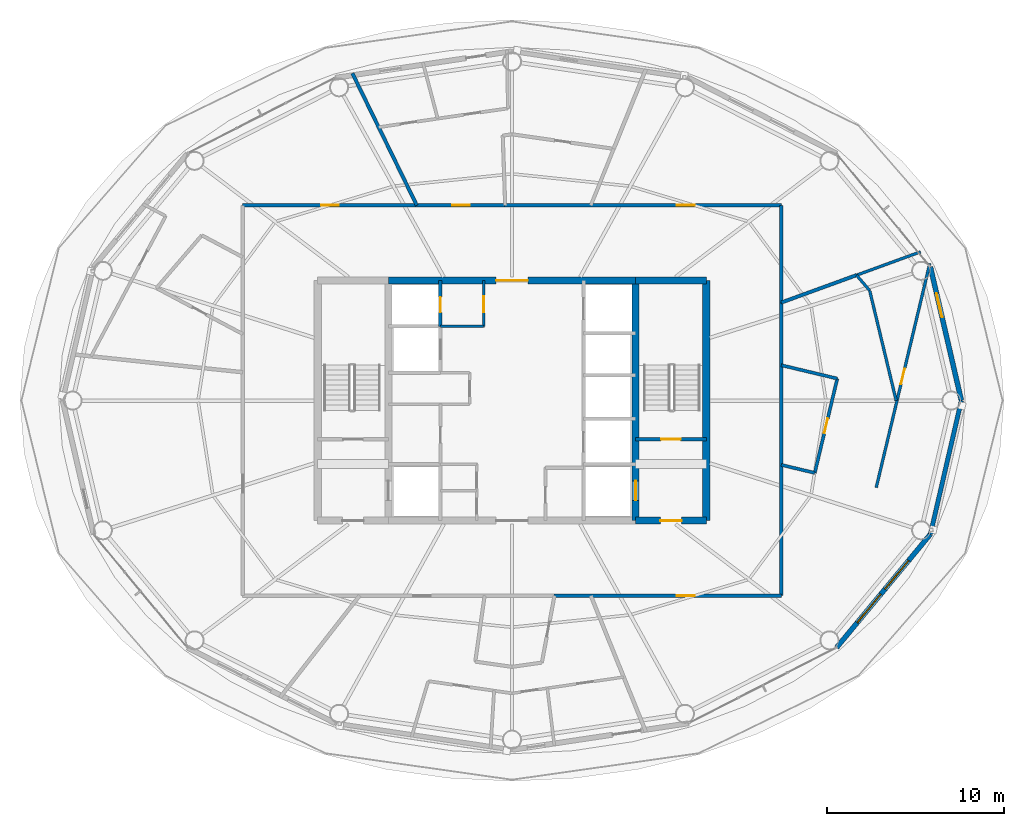
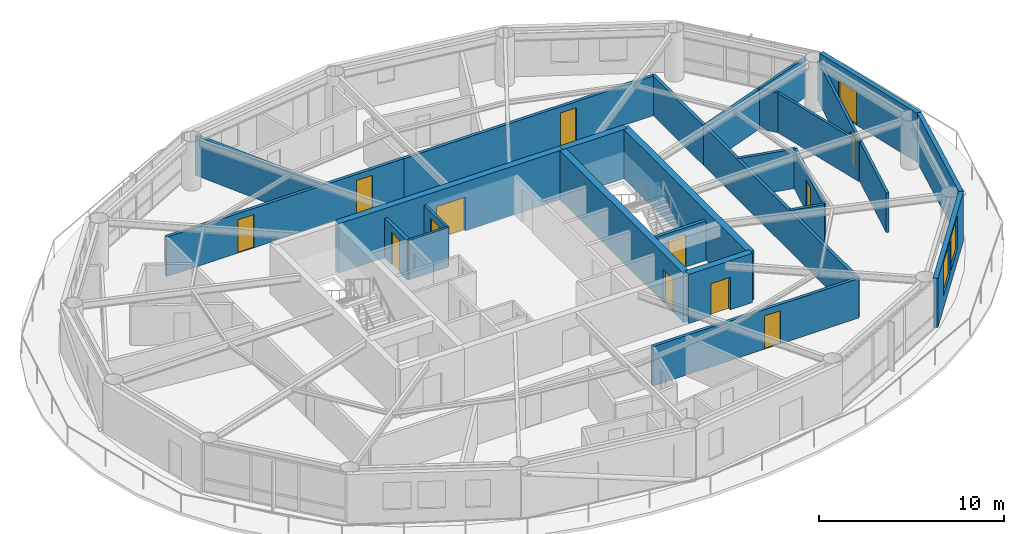
# One storey, part 20 of 24: 26 walls, 13 doors, 2 windows, 15 openings.
"""IFC4 building model written with IfcOpenShell, lengths in metres."""

from ifc_helpers import new_model, si_unit, direction, frame, frame_2d, origin, place, context, subcontext, project, spatial, rectangle, extrude, material, layer, layer_set, type_object, element, fill, save


model = new_model("IFC4")

# Units and contexts
model_context = context("Model", 3, precision=1e-05, world=origin(), true_north=direction((0.0, 1.0)))
body_context = subcontext(model_context, "Body", "Model", "MODEL_VIEW")
ifc_project = project(units=[si_unit("LENGTHUNIT", "METRE"), si_unit("AREAUNIT", "SQUARE_METRE"), si_unit("VOLUMEUNIT", "CUBIC_METRE"), si_unit("PLANEANGLEUNIT", "RADIAN"), si_unit("MASSUNIT", "GRAM", prefix="KILO")], contexts=[model_context])

# Site, building, storey
site_placement = place(None, origin())
site = spatial("IfcSite", under=ifc_project, at=site_placement, CompositionType="ELEMENT")
building_placement = place(site_placement, origin())
building = spatial("IfcBuilding", under=site, at=building_placement, Name="Sarneth Arch Tower", CompositionType="ELEMENT")
storey_placement = place(building_placement, frame((0.0, 0.0, 253.199951171875)))
storey = spatial("IfcBuildingStorey", under=building, at=storey_placement, Name="L65", CompositionType="ELEMENT", Elevation=253.199951171875)

# Wall, opening, door
ifc_material_1 = material(Name="Concrete C50/60", Category="concrete")
ifc_layer_1 = layer(ifc_material_1, 0.39990234375)
ifc_layer_set_1 = layer_set([ifc_layer_1], Name="Concrete C50/60")
wall_type_1 = type_object("IfcWallType", Name="WALL-CORE-400", PredefinedType="SHEAR", material=ifc_layer_set_1)
wall_1_placement = place(storey_placement, frame((55.0, 35.199951171875, 0.0), z_axis=(0.0, 0.0, 1.0), x_axis=(1.0, 0.0, 0.0)))
wall_1 = element("IfcWall", 1, at=wall_1_placement, inside=storey, type_object=wall_type_1, Name="L65 Core shear wall S-E", PredefinedType="SHEAR", context=body_context, shape_type="SweptSolid", body=[
    extrude(rectangle(XDim=4.0, YDim=0.39990234375, at=frame_2d((2.0, 0.0))), origin(), (0.0, 0.0, 1.0), 3.25),
])
opening_1_placement = place(wall_1_placement, frame((1.39990234375, 0.0, 0.0)))
opening_1 = element("IfcOpeningElement", 2, at=opening_1_placement, cuts=wall_1, Name="Opening FD-02", PredefinedType="OPENING", context=body_context, shape_type="SweptSolid", body=[
    extrude(rectangle(XDim=1.199951171875, YDim=2.14990234375, at=frame_2d((0.60009765625, 1.074951171875))), frame((0.0, 0.2099609375, 0.0), z_axis=(0.0, -1.0, 0.0), x_axis=(1.0, 0.0, 0.0)), (0.0, 0.0, 1.0), 0.419921875),
])
ifc_material_2 = material(Name="Galvanised Steel S275 fire door set", Category="steel")
door_type_1 = type_object("IfcDoorType", Name="DR-FD90-1200", OperationType="SINGLE_SWING_LEFT", PredefinedType="DOOR", material=ifc_material_2)
door_1_placement = place(opening_1_placement, origin())
door_1 = element("IfcDoor", 3, at=door_1_placement, inside=storey, type_object=door_type_1, Name="L65 Firefighting lobby 2 exit door", OperationType="SINGLE_SWING_RIGHT", OverallHeight=2.14990234375, OverallWidth=1.199951171875, PredefinedType="DOOR", context=body_context, shape_type="SweptSolid", body=[
    extrude(rectangle(XDim=1.199951171875, YDim=2.14990234375, at=frame_2d((0.60009765625, 1.074951171875))), frame((0.0, 0.02490234375, 0.0), z_axis=(0.0, -1.0, 0.0), x_axis=(1.0, 0.0, 0.0)), (0.0, 0.0, 1.0), 0.050048828125),
])
fill(opening_1, door_1)

wall_2_placement = place(storey_placement, frame((41.0, 48.800048828125, 0.0), z_axis=(0.0, 0.0, 1.0), x_axis=(1.0, 0.0, 0.0)))
wall_2 = element("IfcWall", 4, at=wall_2_placement, inside=storey, type_object=wall_type_1, Name="L65 Core shear wall N-M", PredefinedType="SHEAR", context=body_context, shape_type="SweptSolid", body=[
    extrude(rectangle(XDim=14.0, YDim=0.39990234375, at=frame_2d((7.0, 0.0))), origin(), (0.0, 0.0, 1.0), 3.25),
])
opening_2_placement = place(wall_2_placement, frame((6.10009765625, 0.0, 0.0)))
opening_2 = element("IfcOpeningElement", 5, at=opening_2_placement, cuts=wall_2, Name="Opening FD-01", PredefinedType="OPENING", context=body_context, shape_type="SweptSolid", body=[
    extrude(rectangle(XDim=1.800048828125, YDim=2.25, at=frame_2d((0.89990234375, 1.125))), frame((0.0, 0.2099609375, 0.0), z_axis=(0.0, -1.0, 0.0), x_axis=(1.0, 0.0, 0.0)), (0.0, 0.0, 1.0), 0.419921875),
])
ifc_material_3 = material(Name="Galvanised Steel S275 fire door set", Category="steel")
door_type_2 = type_object("IfcDoorType", Name="DR-FD90-1800", OperationType="DOUBLE_DOOR_SINGLE_SWING", PredefinedType="DOOR", material=ifc_material_3)
door_2_placement = place(opening_2_placement, origin())
door_2 = element("IfcDoor", 6, at=door_2_placement, inside=storey, type_object=door_type_2, Name="L65 Central lift lobby north door", OperationType="DOUBLE_DOOR_SINGLE_SWING", OverallHeight=2.25, OverallWidth=1.800048828125, PredefinedType="DOOR", context=body_context, shape_type="SweptSolid", body=[
    extrude(rectangle(XDim=1.800048828125, YDim=2.25, at=frame_2d((0.89990234375, 1.125))), frame((0.0, 0.02490234375, 0.0), z_axis=(0.0, -1.0, 0.0), x_axis=(1.0, 0.0, 0.0)), (0.0, 0.0, 1.0), 0.050048828125),
])
fill(opening_2, door_2)

# Walls
wall_3_placement = place(storey_placement, frame((55.0, 48.800048828125, 0.0), z_axis=(0.0, 0.0, 1.0), x_axis=(1.0, 0.0, 0.0)))
element("IfcWall", 7, at=wall_3_placement, inside=storey, type_object=wall_type_1, Name="L65 Core shear wall N-E", PredefinedType="SHEAR", context=body_context, shape_type="SweptSolid", body=[
    extrude(rectangle(XDim=4.0, YDim=0.39990234375, at=frame_2d((2.0, 0.0))), origin(), (0.0, 0.0, 1.0), 3.25),
])
wall_4_placement = place(storey_placement, frame((59.0, 35.199951171875, 0.0), z_axis=(0.0, 0.0, 1.0), x_axis=(0.0, 1.0, 0.0)))
element("IfcWall", 8, at=wall_4_placement, inside=storey, type_object=wall_type_1, Name="L65 Core shear wall E", PredefinedType="SHEAR", context=body_context, shape_type="SweptSolid", body=[
    extrude(rectangle(XDim=13.60009765625, YDim=0.39990234375, at=frame_2d((6.800048828125, 0.0))), origin(), (0.0, 0.0, 1.0), 3.25),
])

# Wall, opening, door
wall_5_placement = place(storey_placement, frame((55.0, 35.199951171875, 0.0), z_axis=(0.0, 0.0, 1.0), x_axis=(0.0, 1.0, 0.0)))
wall_5 = element("IfcWall", 9, at=wall_5_placement, inside=storey, type_object=wall_type_1, Name="L65 Core shear wall WEB-E", PredefinedType="SHEAR", context=body_context, shape_type="SweptSolid", body=[
    extrude(rectangle(XDim=13.60009765625, YDim=0.39990234375, at=frame_2d((6.800048828125, 0.0))), origin(), (0.0, 0.0, 1.0), 3.25),
])
opening_3_placement = place(wall_5_placement, frame((1.14990234375, 0.0, 0.0)))
opening_3 = element("IfcOpeningElement", 10, at=opening_3_placement, cuts=wall_5, Name="Opening LD-1", PredefinedType="OPENING", context=body_context, shape_type="SweptSolid", body=[
    extrude(rectangle(XDim=1.10009765625, YDim=2.199951171875, at=frame_2d((0.550048828125, 1.10009765625))), frame((0.0, 0.2099609375, 0.0), z_axis=(0.0, -1.0, 0.0), x_axis=(1.0, 0.0, 0.0)), (0.0, 0.0, 1.0), 0.419921875),
])
ifc_material_4 = material(Name="Brushed Stainless Steel 304 lift landing door", Category="steel")
door_type_3 = type_object("IfcDoorType", Name="DR-LIFT-SLIDE-1100", OperationType="SLIDING_TO_LEFT", PredefinedType="DOOR", material=ifc_material_4)
door_3_placement = place(opening_3_placement, origin())
door_3 = element("IfcDoor", 11, at=door_3_placement, inside=storey, type_object=door_type_3, Name="L65 Firefighting lift landing door FL-2", OperationType="SLIDING_TO_RIGHT", OverallHeight=2.199951171875, OverallWidth=1.10009765625, PredefinedType="DOOR", context=body_context, shape_type="SweptSolid", body=[
    extrude(rectangle(XDim=1.10009765625, YDim=2.199951171875, at=frame_2d((0.550048828125, 1.10009765625))), frame((0.0, 0.02490234375, 0.0), z_axis=(0.0, -1.0, 0.0), x_axis=(1.0, 0.0, 0.0)), (0.0, 0.0, 1.0), 0.050048828125),
])
fill(opening_3, door_3)

ifc_material_5 = material(Name="Double steel-stud corridor fire wall", Category="steel")
ifc_layer_2 = layer(ifc_material_5, 0.18994140625)
ifc_layer_set_2 = layer_set([ifc_layer_2], Name="Double steel-stud corridor fire wall")
wall_type_2 = type_object("IfcWallType", Name="WALL-CORR-190", PredefinedType="PARTITIONING", material=ifc_layer_set_2)
wall_6_placement = place(storey_placement, frame((47.58203125, 53.050048828125, 0.0), z_axis=(0.0, 0.0, 1.0), x_axis=(1.0, 0.0, 0.0)))
wall_6 = element("IfcWall", 12, at=wall_6_placement, inside=storey, type_object=wall_type_2, Name="L65 Interior partition W-L65-TP-001", PredefinedType="PARTITIONING", context=body_context, shape_type="SweptSolid", body=[
    extrude(rectangle(XDim=15.66796875, YDim=0.18994140625, at=frame_2d((7.833984375, 0.0))), origin(), (0.0, 0.0, 1.0), 2.610107421875),
])
opening_4_placement = place(wall_6_placement, frame((9.7578125, 0.0, 0.0)))
opening_4 = element("IfcOpeningElement", 13, at=opening_4_placement, cuts=wall_6, Name="Opening FD-08", PredefinedType="OPENING", context=body_context, shape_type="SweptSolid", body=[
    extrude(rectangle(XDim=1.0, YDim=2.199951171875, at=frame_2d((0.5, 1.10009765625))), frame((0.0, 0.10498046875, 0.0), z_axis=(0.0, -1.0, 0.0), x_axis=(1.0, 0.0, 0.0)), (0.0, 0.0, 1.0), 0.2099609375),
])
ifc_material_6 = material(Name="Hardwood timber acoustic fire door", Category="wood")
door_type_4 = type_object("IfcDoorType", Name="DR-FD60-1000", OperationType="SINGLE_SWING_LEFT", PredefinedType="DOOR", material=ifc_material_6)
door_4_placement = place(opening_4_placement, origin())
door_4 = element("IfcDoor", 14, at=door_4_placement, inside=storey, type_object=door_type_4, Name="L65 Interior door DR-L65-RAMN-01", OperationType="SINGLE_SWING_LEFT", OverallHeight=2.199951171875, OverallWidth=1.0, PredefinedType="DOOR", context=body_context, shape_type="SweptSolid", body=[
    extrude(rectangle(XDim=1.0, YDim=2.199951171875, at=frame_2d((0.5, 1.10009765625))), frame((0.0, 0.02490234375, 0.0), z_axis=(0.0, -1.0, 0.0), x_axis=(1.0, 0.0, 0.0)), (0.0, 0.0, 1.0), 0.050048828125),
])
fill(opening_4, door_4)

wall_7_placement = place(storey_placement, frame((63.25, 30.949951171875, 0.0), z_axis=(0.0, 0.0, 1.0), x_axis=(-1.0, 0.0, 0.0)))
wall_7 = element("IfcWall", 15, at=wall_7_placement, inside=storey, type_object=wall_type_2, Name="L65 Interior partition W-L65-TP-015", PredefinedType="PARTITIONING", context=body_context, shape_type="SweptSolid", body=[
    extrude(rectangle(XDim=12.876708984375, YDim=0.18994140625, at=frame_2d((6.4384765625, 0.0))), origin(), (0.0, 0.0, 1.0), 2.610107421875),
])
opening_5_placement = place(wall_7_placement, frame((4.909912109375, 0.0, 0.0)))
opening_5 = element("IfcOpeningElement", 16, at=opening_5_placement, cuts=wall_7, Name="Opening FD-08", PredefinedType="OPENING", context=body_context, shape_type="SweptSolid", body=[
    extrude(rectangle(XDim=1.0, YDim=2.199951171875, at=frame_2d((0.5, 1.10009765625))), frame((0.0, 0.10498046875, 0.0), z_axis=(0.0, -1.0, 0.0), x_axis=(1.0, 0.0, 0.0)), (0.0, 0.0, 1.0), 0.2099609375),
])
door_5_placement = place(opening_5_placement, origin())
door_5 = element("IfcDoor", 17, at=door_5_placement, inside=storey, type_object=door_type_4, Name="L65 Interior door DR-L65-U6-ENT", OperationType="SINGLE_SWING_RIGHT", OverallHeight=2.199951171875, OverallWidth=1.0, PredefinedType="DOOR", context=body_context, shape_type="SweptSolid", body=[
    extrude(rectangle(XDim=1.0, YDim=2.199951171875, at=frame_2d((0.5, 1.10009765625))), frame((0.0, 0.02490234375, 0.0), z_axis=(0.0, -1.0, 0.0), x_axis=(1.0, 0.0, 0.0)), (0.0, 0.0, 1.0), 0.050048828125),
])
fill(opening_5, door_5)

# Wall, openings, doors
wall_8_placement = place(storey_placement, frame((32.75, 53.050048828125, 0.0), z_axis=(0.0, 0.0, 1.0), x_axis=(1.0, 0.0, 0.0)))
wall_8 = element("IfcWall", 18, at=wall_8_placement, inside=storey, type_object=wall_type_2, Name="L65 Interior partition W-L65-TP-007", PredefinedType="PARTITIONING", context=body_context, shape_type="SweptSolid", body=[
    extrude(rectangle(XDim=14.89599609375, YDim=0.18994140625, at=frame_2d((7.447998046875, 0.0))), origin(), (0.0, 0.0, 1.0), 2.610107421875),
])
opening_6_placement = place(wall_8_placement, frame((4.447998046875, 0.0, 0.0)))
opening_6 = element("IfcOpeningElement", 19, at=opening_6_placement, cuts=wall_8, Name="Opening FD-08", PredefinedType="OPENING", context=body_context, shape_type="SweptSolid", body=[
    extrude(rectangle(XDim=1.0, YDim=2.199951171875, at=frame_2d((0.5, 1.10009765625))), frame((0.0, 0.10498046875, 0.0), z_axis=(0.0, -1.0, 0.0), x_axis=(1.0, 0.0, 0.0)), (0.0, 0.0, 1.0), 0.2099609375),
])
opening_7_placement = place(wall_8_placement, frame((11.860595703125, 0.0, 0.0)))
opening_7 = element("IfcOpeningElement", 20, at=opening_7_placement, cuts=wall_8, Name="Opening FD-08", PredefinedType="OPENING", context=body_context, shape_type="SweptSolid", body=[
    extrude(rectangle(XDim=1.0, YDim=2.199951171875, at=frame_2d((0.5, 1.10009765625))), frame((0.0, 0.10498046875, 0.0), z_axis=(0.0, -1.0, 0.0), x_axis=(1.0, 0.0, 0.0)), (0.0, 0.0, 1.0), 0.2099609375),
])
door_6_placement = place(opening_6_placement, origin())
door_6 = element("IfcDoor", 21, at=door_6_placement, inside=storey, type_object=door_type_4, Name="L65 Interior door DR-L65-U3-ENT", OperationType="SINGLE_SWING_LEFT", OverallHeight=2.199951171875, OverallWidth=1.0, PredefinedType="DOOR", context=body_context, shape_type="SweptSolid", body=[
    extrude(rectangle(XDim=1.0, YDim=2.199951171875, at=frame_2d((0.5, 1.10009765625))), frame((0.0, 0.02490234375, 0.0), z_axis=(0.0, -1.0, 0.0), x_axis=(1.0, 0.0, 0.0)), (0.0, 0.0, 1.0), 0.050048828125),
])
fill(opening_6, door_6)
door_7_placement = place(opening_7_placement, origin())
door_7 = element("IfcDoor", 22, at=door_7_placement, inside=storey, type_object=door_type_4, Name="L65 Interior door DR-L65-U2-ENT", OperationType="SINGLE_SWING_LEFT", OverallHeight=2.199951171875, OverallWidth=1.0, PredefinedType="DOOR", context=body_context, shape_type="SweptSolid", body=[
    extrude(rectangle(XDim=1.0, YDim=2.199951171875, at=frame_2d((0.5, 1.10009765625))), frame((0.0, 0.02490234375, 0.0), z_axis=(0.0, -1.0, 0.0), x_axis=(1.0, 0.0, 0.0)), (0.0, 0.0, 1.0), 0.050048828125),
])
fill(opening_7, door_7)

# Walls
wall_9_placement = place(storey_placement, frame((63.25, 47.584716796875, 0.0), z_axis=(0.0, 0.0, 1.0), x_axis=(0.0, -1.0, 0.0)))
element("IfcWall", 23, at=wall_9_placement, inside=storey, type_object=wall_type_2, Name="L65 Interior partition W-L65-TP-014", PredefinedType="PARTITIONING", context=body_context, shape_type="SweptSolid", body=[
    extrude(rectangle(XDim=16.634765625, YDim=0.18994140625, at=frame_2d((8.3173828125, 0.0))), origin(), (0.0, 0.0, 1.0), 2.610107421875),
])
wall_10_placement = place(storey_placement, frame((63.25, 53.050048828125, 0.0), z_axis=(0.0, 0.0, 1.0), x_axis=(0.0, -1.0, 0.0)))
element("IfcWall", 24, at=wall_10_placement, inside=storey, type_object=wall_type_2, Name="L65 Interior partition W-L65-TP-002", PredefinedType="PARTITIONING", context=body_context, shape_type="SweptSolid", body=[
    extrude(rectangle(XDim=5.53369140625, YDim=0.18994140625, at=frame_2d((2.766845703125, 0.0))), origin(), (0.0, 0.0, 1.0), 2.610107421875),
])
ifc_material_7 = material(Name="Extruded terracotta rainscreen on Concrete C40/50 backing", Category="masonry")
ifc_layer_3 = layer(ifc_material_7, 0.25)
ifc_layer_set_3 = layer_set([ifc_layer_3], Name="Extruded terracotta rainscreen on Concrete C40/50 backing")
wall_type_3 = type_object("IfcWallType", Name="WALL-EXT-SPAND-250", PredefinedType="SOLIDWALL", material=ifc_layer_set_3)
wall_11_placement = place(storey_placement, frame((71.69384765625, 34.430419921875, 0.0), z_axis=(0.0, 0.0, 1.0), x_axis=(0.225635078214, 0.974211892495, 0.0)))
element("IfcWall", 25, at=wall_11_placement, inside=storey, type_object=wall_type_3, Name="L65 Terracotta perimeter wall 16", PredefinedType="SOLIDWALL", context=body_context, shape_type="SweptSolid", body=[
    extrude(rectangle(XDim=7.77001953125, YDim=0.25, at=frame_2d((3.885009765625, 0.0))), origin(), (0.0, 0.0, 1.0), 3.25),
])

# Wall, opening, door
ifc_material_8 = material(Name="Extruded terracotta rainscreen on Concrete C40/50 backing", Category="masonry")
ifc_layer_4 = layer(ifc_material_8, 0.280029296875)
ifc_layer_set_4 = layer_set([ifc_layer_4], Name="Extruded terracotta rainscreen on Concrete C40/50 backing")
wall_type_4 = type_object("IfcWallType", Name="WALL-EXT-TERRA-280", PredefinedType="SOLIDWALL", material=ifc_layer_set_4)
wall_12_placement = place(storey_placement, frame((73.447021484375, 42.0, 0.0), z_axis=(0.0, 0.0, 1.0), x_axis=(-0.225635078214, 0.974211892495, 0.0)))
wall_12 = element("IfcWall", 26, at=wall_12_placement, inside=storey, type_object=wall_type_4, Name="L65 Terracotta perimeter wall 01", PredefinedType="SOLIDWALL", context=body_context, shape_type="SweptSolid", body=[
    extrude(rectangle(XDim=7.77001953125, YDim=0.280029296875, at=frame_2d((3.885009765625, 0.0))), origin(), (0.0, 0.0, 1.0), 3.25),
])
opening_8_placement = place(wall_12_placement, frame((4.842041015625, 0.0, 0.0)))
opening_8 = element("IfcOpeningElement", 27, at=opening_8_placement, cuts=wall_12, Name="Opening BD-2", PredefinedType="OPENING", context=body_context, shape_type="SweptSolid", body=[
    extrude(rectangle(XDim=1.39990234375, YDim=2.199951171875, at=frame_2d((0.699951171875, 1.10009765625))), frame((0.0, 0.14990234375, 0.0), z_axis=(0.0, -1.0, 0.0), x_axis=(1.0, 0.0, 0.0)), (0.0, 0.0, 1.0), 0.300048828125),
])
ifc_material_9 = material(Name="Thermally broken Aluminium 6063-T6 and laminated safety glass", Category="aluminium")
door_type_5 = type_object("IfcDoorType", Name="DR-BALC-GLZ-1400", OperationType="SINGLE_SWING_LEFT", PredefinedType="DOOR", material=ifc_material_9)
door_8_placement = place(opening_8_placement, origin())
door_8 = element("IfcDoor", 28, at=door_8_placement, inside=storey, type_object=door_type_5, Name="L65 Balcony glazed door 01", OperationType="SINGLE_SWING_LEFT", OverallHeight=2.199951171875, OverallWidth=1.39990234375, PredefinedType="DOOR", context=body_context, shape_type="SweptSolid", body=[
    extrude(rectangle(XDim=1.39990234375, YDim=2.199951171875, at=frame_2d((0.699951171875, 1.10009765625))), frame((0.0, 0.02490234375, 0.0), z_axis=(0.0, -1.0, 0.0), x_axis=(1.0, 0.0, 0.0)), (0.0, 0.0, 1.0), 0.050048828125),
])
fill(opening_8, door_8)

# Wall, openings, windows
wall_13_placement = place(storey_placement, frame((66.382568359375, 28.013427734375, 0.0), z_axis=(0.0, 0.0, 1.0), x_axis=(0.63761509934, 0.770355103243, 0.0)))
wall_13 = element("IfcWall", 29, at=wall_13_placement, inside=storey, type_object=wall_type_4, Name="L65 Terracotta perimeter wall 15", PredefinedType="SOLIDWALL", context=body_context, shape_type="SweptSolid", body=[
    extrude(rectangle(XDim=8.329833984375, YDim=0.280029296875, at=frame_2d((4.1650390625, 0.0))), origin(), (0.0, 0.0, 1.0), 3.25),
])
opening_9_placement = place(wall_13_placement, frame((1.826416015625, 0.0, 0.85009765625)))
opening_9 = element("IfcOpeningElement", 30, at=opening_9_placement, cuts=wall_13, Name="Opening W-03", PredefinedType="OPENING", context=body_context, shape_type="SweptSolid", body=[
    extrude(rectangle(XDim=2.10009765625, YDim=2.199951171875, at=frame_2d((1.050048828125, 1.10009765625))), frame((0.0, 0.14990234375, 0.0), z_axis=(0.0, -1.0, 0.0), x_axis=(1.0, 0.0, 0.0)), (0.0, 0.0, 1.0), 0.300048828125),
])
opening_10_placement = place(wall_13_placement, frame((4.29638671875, 0.0, 0.85009765625)))
opening_10 = element("IfcOpeningElement", 31, at=opening_10_placement, cuts=wall_13, Name="Opening W-03", PredefinedType="OPENING", context=body_context, shape_type="SweptSolid", body=[
    extrude(rectangle(XDim=2.10009765625, YDim=2.199951171875, at=frame_2d((1.050048828125, 1.10009765625))), frame((0.0, 0.14990234375, 0.0), z_axis=(0.0, -1.0, 0.0), x_axis=(1.0, 0.0, 0.0)), (0.0, 0.0, 1.0), 0.300048828125),
])
ifc_material_10 = material(Name="Thermally broken Aluminium 6063-T6 and low-e laminated IGU", Category="aluminium")
window_type = type_object("IfcWindowType", Name="WIN-TWR-2100x2200", PartitioningType="DOUBLE_PANEL_VERTICAL", PredefinedType="WINDOW", material=ifc_material_10)
window_1_placement = place(opening_9_placement, origin())
window_1 = element("IfcWindow", 32, at=window_1_placement, inside=storey, type_object=window_type, Name="L65 Exterior window 15A", OverallHeight=2.199951171875, OverallWidth=2.10009765625, PartitioningType="SINGLE_PANEL", PredefinedType="WINDOW", context=body_context, shape_type="SweptSolid", body=[
    extrude(rectangle(XDim=2.10009765625, YDim=2.199951171875, at=frame_2d((1.050048828125, 1.10009765625))), frame((0.0, 0.030029296875, 0.0), z_axis=(0.0, -1.0, 0.0), x_axis=(1.0, 0.0, 0.0)), (0.0, 0.0, 1.0), 0.06005859375),
])
fill(opening_9, window_1)
window_2_placement = place(opening_10_placement, origin())
window_2 = element("IfcWindow", 33, at=window_2_placement, inside=storey, type_object=window_type, Name="L65 Exterior window 15B", OverallHeight=2.199951171875, OverallWidth=2.10009765625, PartitioningType="SINGLE_PANEL", PredefinedType="WINDOW", context=body_context, shape_type="SweptSolid", body=[
    extrude(rectangle(XDim=2.10009765625, YDim=2.199951171875, at=frame_2d((1.050048828125, 1.10009765625))), frame((0.0, 0.030029296875, 0.0), z_axis=(0.0, -1.0, 0.0), x_axis=(1.0, 0.0, 0.0)), (0.0, 0.0, 1.0), 0.06005859375),
])
fill(opening_10, window_2)

# Wall
ifc_material_11 = material(Name="Acoustic gypsum stud partition", Category="gypsum")
ifc_layer_5 = layer(ifc_material_11, 0.14990234375)
ifc_layer_set_5 = layer_set([ifc_layer_5], Name="Acoustic gypsum stud partition")
wall_type_5 = type_object("IfcWallType", Name="WALL-PART-150", PredefinedType="PARTITIONING", material=ifc_layer_set_5)
wall_14_placement = place(storey_placement, frame((43.949951171875, 46.199951171875, 0.0), z_axis=(0.0, 0.0, 1.0), x_axis=(1.0, 0.0, 0.0)))
element("IfcWall", 34, at=wall_14_placement, inside=storey, type_object=wall_type_5, Name="L65 Interior partition W-L65-CSUP3-S", PredefinedType="PARTITIONING", context=body_context, shape_type="SweptSolid", body=[
    extrude(rectangle(XDim=2.449951171875, YDim=0.14990234375, at=frame_2d((1.22509765625, 0.0))), origin(), (0.0, 0.0, 1.0), 2.610107421875),
])

# Wall, opening, door
wall_15_placement = place(storey_placement, frame((46.39990234375, 46.199951171875, 0.0), z_axis=(0.0, 0.0, 1.0), x_axis=(0.0, 1.0, 0.0)))
wall_15 = element("IfcWall", 35, at=wall_15_placement, inside=storey, type_object=wall_type_5, Name="L65 Interior partition W-L65-CSUP3-E", PredefinedType="PARTITIONING", context=body_context, shape_type="SweptSolid", body=[
    extrude(rectangle(XDim=2.60009765625, YDim=0.14990234375, at=frame_2d((1.300048828125, 0.0))), origin(), (0.0, 0.0, 1.0), 2.610107421875),
])
opening_11_placement = place(wall_15_placement, frame((0.800048828125, 0.0, 0.0)))
opening_11 = element("IfcOpeningElement", 36, at=opening_11_placement, cuts=wall_15, Name="Opening FD-10", PredefinedType="OPENING", context=body_context, shape_type="SweptSolid", body=[
    extrude(rectangle(XDim=0.89990234375, YDim=2.14990234375, at=frame_2d((0.449951171875, 1.074951171875))), frame((0.0, 0.0849609375, 0.0), z_axis=(0.0, -1.0, 0.0), x_axis=(1.0, 0.0, 0.0)), (0.0, 0.0, 1.0), 0.169921875),
])
ifc_material_12 = material(Name="Galvanised Steel S275 riser/service fire door", Category="steel")
door_type_6 = type_object("IfcDoorType", Name="DR-FD60-900", OperationType="SINGLE_SWING_LEFT", PredefinedType="DOOR", material=ifc_material_12)
door_9_placement = place(opening_11_placement, origin())
door_9 = element("IfcDoor", 37, at=door_9_placement, inside=storey, type_object=door_type_6, Name="L65 Interior door DR-L65-CSUP3", OperationType="SINGLE_SWING_LEFT", OverallHeight=2.14990234375, OverallWidth=0.89990234375, PredefinedType="DOOR", context=body_context, shape_type="SweptSolid", body=[
    extrude(rectangle(XDim=0.89990234375, YDim=2.14990234375, at=frame_2d((0.449951171875, 1.074951171875))), frame((0.0, 0.02490234375, 0.0), z_axis=(0.0, -1.0, 0.0), x_axis=(1.0, 0.0, 0.0)), (0.0, 0.0, 1.0), 0.050048828125),
])
fill(opening_11, door_9)

ifc_material_13 = material(Name="Kitchen wet service chase wall", Category="gypsum")
ifc_layer_6 = layer(ifc_material_13, 0.159912109375)
ifc_layer_set_6 = layer_set([ifc_layer_6], Name="Kitchen wet service chase wall")
wall_type_6 = type_object("IfcWallType", Name="WALL-PLUMB-160", PredefinedType="PLUMBINGWALL", material=ifc_layer_set_6)
wall_16_placement = place(storey_placement, frame((71.658447265625, 49.7626953125, 0.0), z_axis=(0.0, 0.0, 1.0), x_axis=(-0.23242816807, -0.972613564931, 0.0)))
wall_16 = element("IfcWall", 38, at=wall_16_placement, inside=storey, type_object=wall_type_6, Name="L65 Interior partition W-L65-TP-055", PredefinedType="PLUMBINGWALL", context=body_context, shape_type="SweptSolid", body=[
    extrude(rectangle(XDim=13.049072265625, YDim=0.159912109375, at=frame_2d((6.5244140625, 0.0))), origin(), (0.0, 0.0, 1.0), 2.610107421875),
])
opening_12_placement = place(wall_16_placement, frame((6.134521484375, 0.0, 0.0)))
opening_12 = element("IfcOpeningElement", 39, at=opening_12_placement, cuts=wall_16, Name="Opening ID-01", PredefinedType="OPENING", context=body_context, shape_type="SweptSolid", body=[
    extrude(rectangle(XDim=0.89990234375, YDim=2.10009765625, at=frame_2d((0.449951171875, 1.050048828125))), frame((0.0, 0.08984375, 0.0), z_axis=(0.0, -1.0, 0.0), x_axis=(1.0, 0.0, 0.0)), (0.0, 0.0, 1.0), 0.179931640625),
])
ifc_material_14 = material(Name="Engineered hardwood flush door", Category="wood")
door_type_7 = type_object("IfcDoorType", Name="DR-INT-900", OperationType="SINGLE_SWING_LEFT", PredefinedType="DOOR", material=ifc_material_14)
door_10_placement = place(opening_12_placement, origin())
door_10 = element("IfcDoor", 40, at=door_10_placement, inside=storey, type_object=door_type_7, Name="L65 Interior door DR-L65-U6-KIT", OperationType="SINGLE_SWING_LEFT", OverallHeight=2.10009765625, OverallWidth=0.89990234375, PredefinedType="DOOR", context=body_context, shape_type="SweptSolid", body=[
    extrude(rectangle(XDim=0.89990234375, YDim=2.10009765625, at=frame_2d((0.449951171875, 1.050048828125))), frame((0.0, 0.02490234375, 0.0), z_axis=(0.0, -1.0, 0.0), x_axis=(1.0, 0.0, 0.0)), (0.0, 0.0, 1.0), 0.050048828125),
])
fill(opening_12, door_10)

# Walls
wall_17_placement = place(storey_placement, frame((69.75341796875, 42.0, 0.0), z_axis=(0.0, 0.0, 1.0), x_axis=(-0.233901777694, 0.972260231827, 0.0)))
element("IfcWall", 41, at=wall_17_placement, inside=storey, type_object=wall_type_6, Name="L65 Interior partition W-L65-TP-057", PredefinedType="PLUMBINGWALL", context=body_context, shape_type="SweptSolid", body=[
    extrude(rectangle(XDim=6.40771484375, YDim=0.159912109375, at=frame_2d((3.203857421875, 0.0))), origin(), (0.0, 0.0, 1.0), 2.610107421875),
])
wall_18_placement = place(storey_placement, frame((67.5068359375, 49.099853515625, 0.0), z_axis=(0.0, 0.0, 1.0), x_axis=(0.939701103556, 0.341996836208, 0.0)))
element("IfcWall", 42, at=wall_18_placement, inside=storey, type_object=wall_type_6, Name="L65 Interior partition W-L65-TP-021", PredefinedType="PLUMBINGWALL", context=body_context, shape_type="SweptSolid", body=[
    extrude(rectangle(XDim=3.862060546875, YDim=0.159912109375, at=frame_2d((1.93115234375, 0.0))), origin(), (0.0, 0.0, 1.0), 2.610107421875),
])
wall_19_placement = place(storey_placement, frame((68.254638671875, 48.22998046875, 0.0), z_axis=(0.0, 0.0, 1.0), x_axis=(-0.651894891584, 0.758309336832, 0.0)))
element("IfcWall", 43, at=wall_19_placement, inside=storey, type_object=wall_type_6, Name="L65 Interior partition W-L65-TP-058", PredefinedType="PLUMBINGWALL", context=body_context, shape_type="SweptSolid", body=[
    extrude(rectangle(XDim=1.147216796875, YDim=0.159912109375, at=frame_2d((0.57373046875, 0.0))), origin(), (0.0, 0.0, 1.0), 2.610107421875),
])

# Wall, opening, door
ifc_material_15 = material(Name="Moisture-resistant plumbing chase wall", Category="gypsum")
ifc_layer_7 = layer(ifc_material_15, 0.179931640625)
ifc_layer_set_7 = layer_set([ifc_layer_7], Name="Moisture-resistant plumbing chase wall")
wall_type_7 = type_object("IfcWallType", Name="WALL-PLUMB-180", PredefinedType="PLUMBINGWALL", material=ifc_layer_set_7)
wall_20_placement = place(storey_placement, frame((65.143798828125, 37.903076171875, 0.0), z_axis=(0.0, 0.0, 1.0), x_axis=(0.232447954132, 0.972608836388, 0.0)))
wall_20 = element("IfcWall", 44, at=wall_20_placement, inside=storey, type_object=wall_type_7, Name="L65 Interior partition W-L65-TP-053", PredefinedType="PLUMBINGWALL", context=body_context, shape_type="SweptSolid", body=[
    extrude(rectangle(XDim=5.490966796875, YDim=0.179931640625, at=frame_2d((2.74560546875, 0.0))), origin(), (0.0, 0.0, 1.0), 2.610107421875),
])
opening_13_placement = place(wall_20_placement, frame((2.3203125, 0.0, 0.0)))
opening_13 = element("IfcOpeningElement", 45, at=opening_13_placement, cuts=wall_20, Name="Opening ID-02", PredefinedType="OPENING", context=body_context, shape_type="SweptSolid", body=[
    extrude(rectangle(XDim=0.85009765625, YDim=2.10009765625, at=frame_2d((0.425048828125, 1.050048828125))), frame((0.0, 0.099853515625, 0.0), z_axis=(0.0, -1.0, 0.0), x_axis=(1.0, 0.0, 0.0)), (0.0, 0.0, 1.0), 0.199951171875),
])
ifc_material_16 = material(Name="Moisture-resistant bathroom timber door", Category="wood")
door_type_8 = type_object("IfcDoorType", Name="DR-INT-850", OperationType="SINGLE_SWING_RIGHT", PredefinedType="DOOR", material=ifc_material_16)
door_11_placement = place(opening_13_placement, origin())
door_11 = element("IfcDoor", 46, at=door_11_placement, inside=storey, type_object=door_type_8, Name="L65 Interior door DR-L65-U6-BATH", OperationType="SINGLE_SWING_RIGHT", OverallHeight=2.10009765625, OverallWidth=0.85009765625, PredefinedType="DOOR", context=body_context, shape_type="SweptSolid", body=[
    extrude(rectangle(XDim=0.85009765625, YDim=2.10009765625, at=frame_2d((0.425048828125, 1.050048828125))), frame((0.0, 0.02490234375, 0.0), z_axis=(0.0, -1.0, 0.0), x_axis=(1.0, 0.0, 0.0)), (0.0, 0.0, 1.0), 0.050048828125),
])
fill(opening_13, door_11)

# Walls
wall_21_placement = place(storey_placement, frame((66.420166015625, 43.24365234375, 0.0), z_axis=(0.0, 0.0, 1.0), x_axis=(-0.972614607238, 0.232423806412, 0.0)))
element("IfcWall", 47, at=wall_21_placement, inside=storey, type_object=wall_type_7, Name="L65 Interior partition W-L65-TP-054", PredefinedType="PLUMBINGWALL", context=body_context, shape_type="SweptSolid", body=[
    extrude(rectangle(XDim=3.259521484375, YDim=0.179931640625, at=frame_2d((1.6298828125, 0.0))), origin(), (0.0, 0.0, 1.0), 2.610107421875),
])
wall_22_placement = place(storey_placement, frame((63.25, 38.355712890625, 0.0), z_axis=(0.0, 0.0, 1.0), x_axis=(0.972605397064, -0.232462344483, 0.0)))
element("IfcWall", 48, at=wall_22_placement, inside=storey, type_object=wall_type_7, Name="L65 Interior partition W-L65-TP-052", PredefinedType="PLUMBINGWALL", context=body_context, shape_type="SweptSolid", body=[
    extrude(rectangle(XDim=1.947021484375, YDim=0.179931640625, at=frame_2d((0.9736328125, 0.0))), origin(), (0.0, 0.0, 1.0), 2.610107421875),
])

# Wall, opening, door
ifc_material_17 = material(Name="Aerated concrete blockwork C25/30", Category="masonry")
ifc_layer_8 = layer(ifc_material_17, 0.199951171875)
ifc_layer_set_8 = layer_set([ifc_layer_8], Name="Aerated concrete blockwork C25/30")
wall_type_8 = type_object("IfcWallType", Name="WALL-SHAFT-200", PredefinedType="SOLIDWALL", material=ifc_layer_set_8)
wall_23_placement = place(storey_placement, frame((55.0, 39.800048828125, 0.0), z_axis=(0.0, 0.0, 1.0), x_axis=(1.0, 0.0, 0.0)))
wall_23 = element("IfcWall", 49, at=wall_23_placement, inside=storey, type_object=wall_type_8, Name="L65 Interior partition W-L65-ST2-S", PredefinedType="SOLIDWALL", context=body_context, shape_type="SweptSolid", body=[
    extrude(rectangle(XDim=4.0, YDim=0.199951171875, at=frame_2d((2.0, 0.0))), origin(), (0.0, 0.0, 1.0), 2.610107421875),
])
opening_14_placement = place(wall_23_placement, frame((1.449951171875, 0.0, 0.0)))
opening_14 = element("IfcOpeningElement", 50, at=opening_14_placement, cuts=wall_23, Name="Opening FD-03", PredefinedType="OPENING", context=body_context, shape_type="SweptSolid", body=[
    extrude(rectangle(XDim=1.10009765625, YDim=2.14990234375, at=frame_2d((0.550048828125, 1.074951171875))), frame((0.0, 0.10986328125, 0.0), z_axis=(0.0, -1.0, 0.0), x_axis=(1.0, 0.0, 0.0)), (0.0, 0.0, 1.0), 0.219970703125),
])
ifc_material_18 = material(Name="Galvanised Steel S275 fire door set", Category="steel")
door_type_9 = type_object("IfcDoorType", Name="DR-FD90-1100", OperationType="SINGLE_SWING_LEFT", PredefinedType="DOOR", material=ifc_material_18)
door_12_placement = place(opening_14_placement, origin())
door_12 = element("IfcDoor", 51, at=door_12_placement, inside=storey, type_object=door_type_9, Name="L65 Interior door DR-L65-ST2", OperationType="SINGLE_SWING_RIGHT", OverallHeight=2.14990234375, OverallWidth=1.10009765625, PredefinedType="DOOR", context=body_context, shape_type="SweptSolid", body=[
    extrude(rectangle(XDim=1.10009765625, YDim=2.14990234375, at=frame_2d((0.550048828125, 1.074951171875))), frame((0.0, 0.02490234375, 0.0), z_axis=(0.0, -1.0, 0.0), x_axis=(1.0, 0.0, 0.0)), (0.0, 0.0, 1.0), 0.050048828125),
])
fill(opening_14, door_12)

wall_24_placement = place(storey_placement, frame((43.949951171875, 46.199951171875, 0.0), z_axis=(0.0, 0.0, 1.0), x_axis=(0.0, 1.0, 0.0)))
wall_24 = element("IfcWall", 52, at=wall_24_placement, inside=storey, type_object=wall_type_8, Name="L65 Interior partition W-L65-RISER-E", PredefinedType="SOLIDWALL", context=body_context, shape_type="SweptSolid", body=[
    extrude(rectangle(XDim=2.60009765625, YDim=0.199951171875, at=frame_2d((1.300048828125, 0.0))), origin(), (0.0, 0.0, 1.0), 2.610107421875),
])
opening_15_placement = place(wall_24_placement, frame((0.800048828125, 0.0, 0.0)))
opening_15 = element("IfcOpeningElement", 53, at=opening_15_placement, cuts=wall_24, Name="Opening FD-11", PredefinedType="OPENING", context=body_context, shape_type="SweptSolid", body=[
    extrude(rectangle(XDim=0.85009765625, YDim=2.14990234375, at=frame_2d((0.425048828125, 1.074951171875))), frame((0.0, 0.10986328125, 0.0), z_axis=(0.0, -1.0, 0.0), x_axis=(1.0, 0.0, 0.0)), (0.0, 0.0, 1.0), 0.219970703125),
])
ifc_material_19 = material(Name="Galvanised Steel S275 closet fire door", Category="steel")
door_type_10 = type_object("IfcDoorType", Name="DR-FD60-850", OperationType="SINGLE_SWING_LEFT", PredefinedType="DOOR", material=ifc_material_19)
door_13_placement = place(opening_15_placement, origin())
door_13 = element("IfcDoor", 54, at=door_13_placement, inside=storey, type_object=door_type_10, Name="L65 Lift landing door DR-L65-RISER", OperationType="SINGLE_SWING_LEFT", OverallHeight=2.14990234375, OverallWidth=0.85009765625, PredefinedType="DOOR", context=body_context, shape_type="SweptSolid", body=[
    extrude(rectangle(XDim=0.85009765625, YDim=2.14990234375, at=frame_2d((0.425048828125, 1.074951171875))), frame((0.0, 0.02490234375, 0.0), z_axis=(0.0, -1.0, 0.0), x_axis=(1.0, 0.0, 0.0)), (0.0, 0.0, 1.0), 0.050048828125),
])
fill(opening_15, door_13)

# Walls
ifc_material_20 = material(Name="Double steel-stud acoustic drywall", Category="steel")
ifc_layer_9 = layer(ifc_material_20, 0.199951171875)
ifc_layer_set_9 = layer_set([ifc_layer_9], Name="Double steel-stud acoustic drywall")
wall_type_9 = type_object("IfcWallType", Name="WALL-UNIT-200", PredefinedType="PARTITIONING", material=ifc_layer_set_9)
wall_25_placement = place(storey_placement, frame((42.610595703125, 53.050048828125, 0.0), z_axis=(0.0, 0.0, 1.0), x_axis=(-0.438386671508, 0.898786474222, 0.0)))
element("IfcWall", 55, at=wall_25_placement, inside=storey, type_object=wall_type_9, Name="L65 Interior partition W-L65-TP-028", PredefinedType="PARTITIONING", context=body_context, shape_type="SweptSolid", body=[
    extrude(rectangle(XDim=8.3291015625, YDim=0.199951171875, at=frame_2d((4.16455078125, 0.0))), origin(), (0.0, 0.0, 1.0), 2.610107421875),
])
wall_26_placement = place(storey_placement, frame((63.25, 47.550537109375, 0.0), z_axis=(0.0, 0.0, 1.0), x_axis=(0.939695825247, 0.342011339012, 0.0)))
element("IfcWall", 56, at=wall_26_placement, inside=storey, type_object=wall_type_9, Name="L65 Interior partition W-L65-TP-020", PredefinedType="PARTITIONING", context=body_context, shape_type="SweptSolid", body=[
    extrude(rectangle(XDim=4.530029296875, YDim=0.199951171875, at=frame_2d((2.26513671875, 0.0))), origin(), (0.0, 0.0, 1.0), 2.610107421875),
])

save(model, "model.ifc")
